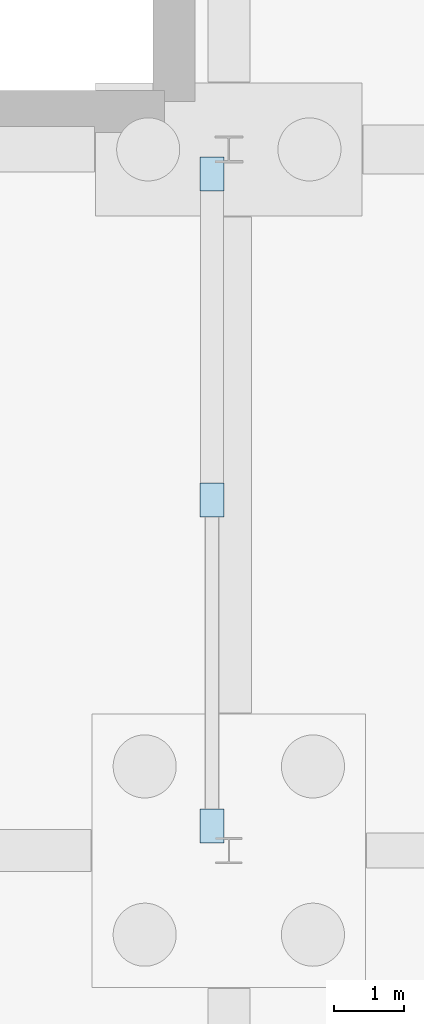
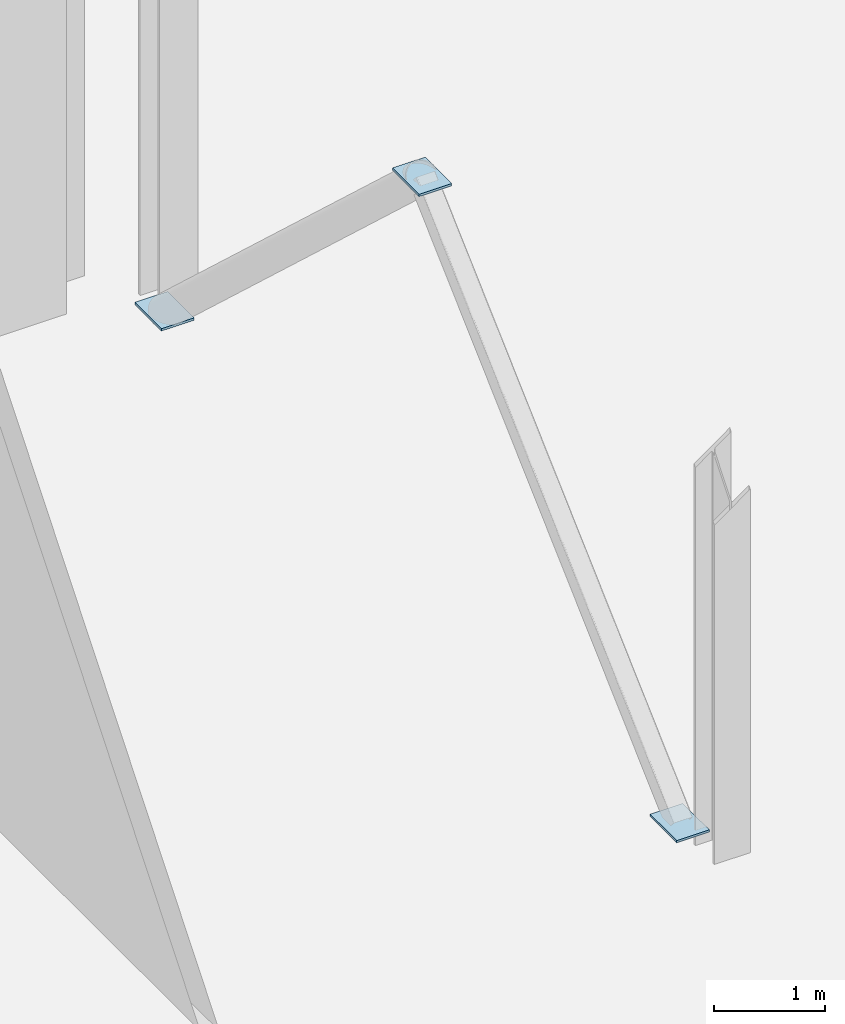
# One storey, part 41 of 60: 3 plates.
"""IFC4 building model written with IfcOpenShell, lengths in metres."""

from ifc_helpers import new_model, si_unit, direction, frame, origin, origin_2d, place, context, subcontext, project, spatial, rectangle, extrude, material, layer, layer_set, type_object, element, save


model = new_model("IFC4")

# Units and contexts
model_context = context("Model", 3, precision=1e-05, world=origin(), true_north=direction((0.0, 1.0)))
body_context = subcontext(model_context, "Body", "Model", "MODEL_VIEW")
ifc_project = project(units=[si_unit("LENGTHUNIT", "METRE"), si_unit("AREAUNIT", "SQUARE_METRE"), si_unit("VOLUMEUNIT", "CUBIC_METRE"), si_unit("PLANEANGLEUNIT", "RADIAN"), si_unit("MASSUNIT", "GRAM", prefix="KILO")], contexts=[model_context])

# Site, building, storey
site_placement = place(None, origin())
site = spatial("IfcSite", under=ifc_project, at=site_placement, CompositionType="ELEMENT")
building_placement = place(site_placement, origin())
building = spatial("IfcBuilding", under=site, at=building_placement, Name="Trimount Lyric Opera House", CompositionType="ELEMENT")
storey_placement = place(building_placement, frame((0.0, 0.0, -5.39990234375)))
storey = spatial("IfcBuildingStorey", under=building, at=storey_placement, Name="B1", CompositionType="ELEMENT", Elevation=-5.39990234375)

# Plates
ifc_material = material(Name="Steel ASTM A572 Grade 50", Category="steel")
ifc_layer = layer(ifc_material, 0.02490234375)
ifc_layer_set = layer_set([ifc_layer], Name="KN-02")
plate_type = type_object("IfcPlateType", Name="KN-02", PredefinedType="USERDEFINED", material=ifc_layer_set)
for number, where, z_axis, x_axis, name in (
    (1, (148.0, 64.35009765625, 0.137451171875), (0.0, 0.0, 1.0), (0.0, 1.0, 0.0), "B1 brace BRC-BF-4-B1-L1 end gusset plate A"),
    (2, (148.0, 69.0, 4.4375), (0.0, 0.0, 1.0), (0.0, 1.0, 0.0), "B1 brace BRC-BF-4-B1-L1 end gusset plate B"),
    (3, (148.0, 73.64990234375, 0.137451171875), (0.0, 0.0, 1.0), (0.0, -1.0, 0.0), "B1 brace BRC-BF-4-B1-L2 end gusset plate A"),
):
    element("IfcPlate", number, at=place(storey_placement, frame(where, z_axis=z_axis, x_axis=x_axis)), inside=storey, type_object=plate_type, Name=name, ObjectType="GUSSET_PLATE", PredefinedType="USERDEFINED", context=body_context, shape_type="SweptSolid", body=[
        extrude(rectangle(XDim=0.47998046875, YDim=0.340087890625, at=origin_2d()), origin(), (0.0, 0.0, 1.0), 0.02490234375),
    ])

save(model, "model.ifc")
